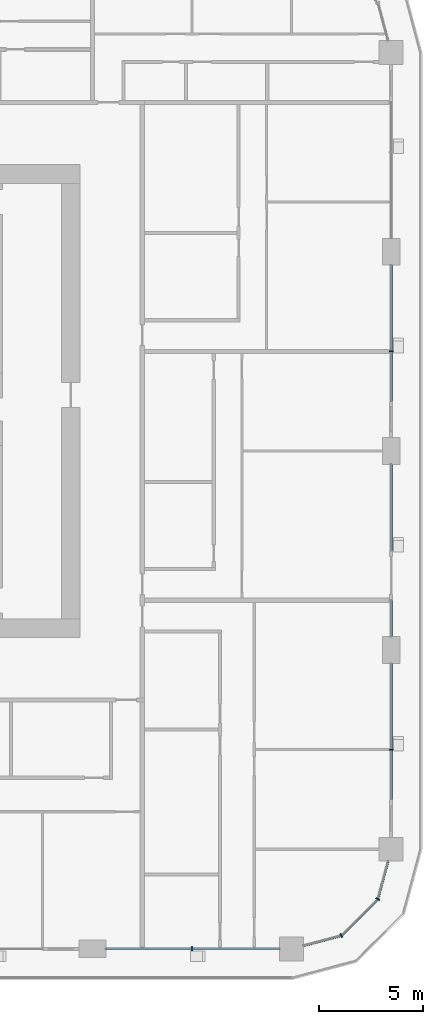
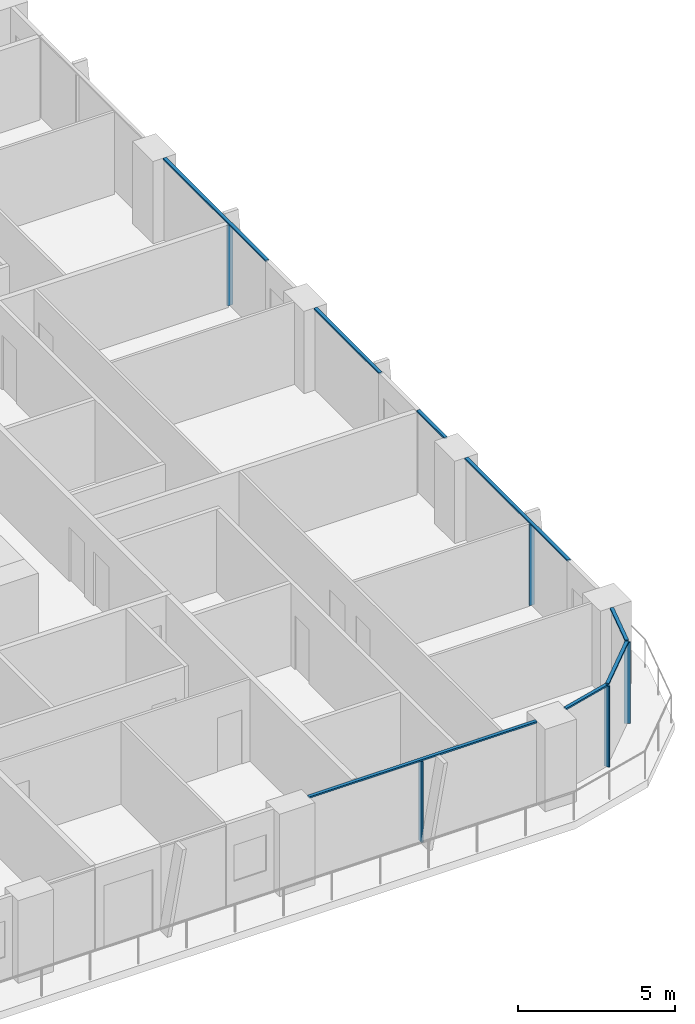
# One storey, part 4 of 22: 13 members, 5 elements without a shape of their own.
"""IFC4 building model written with IfcOpenShell, lengths in metres."""

from ifc_helpers import new_model, si_unit, direction, frame, origin, origin_2d, place, context, subcontext, project, spatial, rectangle, extrude, material, layer, layer_set, material_profile, profile_set, type_object, element, aggregate, save


model = new_model("IFC4")

# Units and contexts
model_context = context("Model", 3, precision=1e-05, world=origin(), true_north=direction((0.0, 1.0)))
body_context = subcontext(model_context, "Body", "Model", "MODEL_VIEW")
ifc_project = project(units=[si_unit("LENGTHUNIT", "METRE"), si_unit("AREAUNIT", "SQUARE_METRE"), si_unit("VOLUMEUNIT", "CUBIC_METRE"), si_unit("PLANEANGLEUNIT", "RADIAN"), si_unit("MASSUNIT", "GRAM", prefix="KILO")], contexts=[model_context])

# Site, building, storey
site_placement = place(None, origin())
site = spatial("IfcSite", under=ifc_project, at=site_placement, CompositionType="ELEMENT")
building_placement = place(site_placement, origin())
building = spatial("IfcBuilding", under=site, at=building_placement, Name="Madar Terraces", CompositionType="ELEMENT")
storey_placement = place(building_placement, frame((0.0, 0.0, 62.800048828125)))
storey = spatial("IfcBuildingStorey", under=building, at=storey_placement, Name="L15", CompositionType="ELEMENT", Elevation=62.800048828125)

# Curtain wall, member
ifc_material_1 = material(Name="Glass, ceramic frit dark grey, with black aluminium frame", Category="aluminium")
ifc_layer = layer(ifc_material_1, 0.199951171875)
ifc_layer_set = layer_set([ifc_layer], Name="Facade curtain wall, fritted glass")
curtain_wall_type = type_object("IfcCurtainWallType", Name="Facade curtain wall, fritted glass", PredefinedType="NOTDEFINED", material=ifc_layer_set)
curtain_wall_1_placement = place(storey_placement, origin())
curtain_wall_1 = element("IfcCurtainWall", 1, at=curtain_wall_1_placement, inside=storey, type_object=curtain_wall_type, Name="Outer skin curtain wall south bay 5", PredefinedType="NOTDEFINED")
ifc_material_2 = material(Name="Aluminium, black anodised", Category="aluminium")
ifc_material_profile_1 = material_profile(ifc_material_2, rectangle(XDim=0.199951171875, YDim=0.06005859375, at=origin_2d()), Name="Facade mullion 60x200")
ifc_profile_set_1 = profile_set([ifc_material_profile_1], Name="Aluminium, black anodised")
member_type_1 = type_object("IfcMemberType", Name="Facade mullion 60x200", PredefinedType="MULLION", material=ifc_profile_set_1)
member_1_placement = place(storey_placement, frame((52.800048828125, 0.0, 0.0), z_axis=(0.0, 0.0, 1.0), x_axis=(0.0, 1.0, 0.0)))
member_1 = element("IfcMember", 2, at=member_1_placement, type_object=member_type_1, Name="Mullion 1", PredefinedType="MULLION", context=body_context, shape_type="SweptSolid", body=[
    extrude(rectangle(XDim=0.199951171875, YDim=0.06005859375, at=origin_2d()), origin(), (0.0, 0.0, 1.0), 3.139892578125),
])

curtain_wall_2_placement = place(storey_placement, origin())
curtain_wall_2 = element("IfcCurtainWall", 3, at=curtain_wall_2_placement, inside=storey, type_object=curtain_wall_type, Name="Outer skin curtain wall east bay 1", PredefinedType="NOTDEFINED")
member_2_placement = place(storey_placement, frame((62.39990234375, 9.60009765625, 0.0), z_axis=(0.0, 0.0, 1.0), x_axis=(-1.0, 0.0, 0.0)))
member_2 = element("IfcMember", 4, at=member_2_placement, type_object=member_type_1, Name="Mullion 1", PredefinedType="MULLION", context=body_context, shape_type="SweptSolid", body=[
    extrude(rectangle(XDim=0.199951171875, YDim=0.06005859375, at=origin_2d()), origin(), (0.0, 0.0, 1.0), 3.139892578125),
])

curtain_wall_3_placement = place(storey_placement, origin())
curtain_wall_3 = element("IfcCurtainWall", 5, at=curtain_wall_3_placement, inside=storey, type_object=curtain_wall_type, Name="Outer skin curtain wall east bay 3", PredefinedType="NOTDEFINED")
member_3_placement = place(storey_placement, frame((62.39990234375, 28.800048828125, 0.0), z_axis=(0.0, 0.0, 1.0), x_axis=(-1.0, 0.0, 0.0)))
member_3 = element("IfcMember", 6, at=member_3_placement, type_object=member_type_1, Name="Mullion 1", PredefinedType="MULLION", context=body_context, shape_type="SweptSolid", body=[
    extrude(rectangle(XDim=0.199951171875, YDim=0.06005859375, at=origin_2d()), origin(), (0.0, 0.0, 1.0), 3.139892578125),
])

# Curtain wall, members
curtain_wall_4_placement = place(storey_placement, origin())
curtain_wall_4 = element("IfcCurtainWall", 7, at=curtain_wall_4_placement, inside=storey, type_object=curtain_wall_type, Name="Outer skin curtain wall south-east corner", PredefinedType="NOTDEFINED")
member_4_placement = place(storey_placement, frame((60.0, 0.64306640625, 0.0), z_axis=(0.0, 0.0, 1.0), x_axis=(-0.499999989586, 0.866025409797, 0.0)))
member_4 = element("IfcMember", 8, at=member_4_placement, type_object=member_type_1, Name="Mullion 1", PredefinedType="MULLION", context=body_context, shape_type="SweptSolid", body=[
    extrude(rectangle(XDim=0.199951171875, YDim=0.06005859375, at=origin_2d()), origin(), (0.0, 0.0, 1.0), 3.139892578125),
])
member_5_placement = place(storey_placement, frame((61.7568359375, 2.39990234375, 0.0), z_axis=(0.0, 0.0, 1.0), x_axis=(-0.866025409797, 0.499999989586, 0.0)))
member_5 = element("IfcMember", 9, at=member_5_placement, type_object=member_type_1, Name="Mullion 2", PredefinedType="MULLION", context=body_context, shape_type="SweptSolid", body=[
    extrude(rectangle(XDim=0.199951171875, YDim=0.06005859375, at=origin_2d()), origin(), (0.0, 0.0, 1.0), 3.139892578125),
])

# Member
ifc_material_3 = material(Name="Aluminium, black anodised", Category="aluminium")
ifc_material_profile_2 = material_profile(ifc_material_3, rectangle(XDim=0.1201171875, YDim=0.06005859375, at=origin_2d()), Name="Facade transom 60x120")
ifc_profile_set_2 = profile_set([ifc_material_profile_2], Name="Aluminium, black anodised")
member_type_2 = type_object("IfcMemberType", Name="Facade transom 60x120", PredefinedType="USERDEFINED", material=ifc_profile_set_2)
member_6_placement = place(storey_placement, frame((48.64990234375, 0.0, 3.169921875), z_axis=(1.0, 0.0, 0.0), x_axis=(0.0, 1.0, 0.0)))
member_6 = element("IfcMember", 10, at=member_6_placement, type_object=member_type_2, Name="Transom 1", ObjectType="TRANSOM", PredefinedType="USERDEFINED", context=body_context, shape_type="SweptSolid", body=[
    extrude(rectangle(XDim=0.1201171875, YDim=0.06005859375, at=origin_2d()), origin(), (0.0, 0.0, 1.0), 8.375),
])

aggregate(curtain_wall_1, [member_1, member_6])

member_7_placement = place(storey_placement, frame((62.39990234375, 7.199951171875, 3.169921875), z_axis=(0.0, 1.0, 0.0), x_axis=(-1.0, 0.0, 0.0)))
member_7 = element("IfcMember", 11, at=member_7_placement, type_object=member_type_2, Name="Transom 1", ObjectType="TRANSOM", PredefinedType="USERDEFINED", context=body_context, shape_type="SweptSolid", body=[
    extrude(rectangle(XDim=0.1201171875, YDim=0.06005859375, at=origin_2d()), origin(), (0.0, 0.0, 1.0), 6.550048828125),
])

aggregate(curtain_wall_2, [member_2, member_7])

# Curtain wall, members
curtain_wall_5_placement = place(storey_placement, origin())
curtain_wall_5 = element("IfcCurtainWall", 12, at=curtain_wall_5_placement, inside=storey, type_object=curtain_wall_type, Name="Outer skin curtain wall east bay 2", PredefinedType="NOTDEFINED")
member_8_placement = place(storey_placement, frame((62.39990234375, 15.050048828125, 3.169921875), z_axis=(0.0, 1.0, 0.0), x_axis=(-1.0, 0.0, 0.0)))
member_8 = element("IfcMember", 13, at=member_8_placement, type_object=member_type_2, Name="Transom 1", ObjectType="TRANSOM", PredefinedType="USERDEFINED", context=body_context, shape_type="SweptSolid", body=[
    extrude(rectangle(XDim=0.1201171875, YDim=0.06005859375, at=origin_2d()), origin(), (0.0, 0.0, 1.0), 1.75),
])
member_9_placement = place(storey_placement, frame((62.39990234375, 19.199951171875, 3.169921875), z_axis=(0.0, 1.0, 0.0), x_axis=(-1.0, 0.0, 0.0)))
member_9 = element("IfcMember", 14, at=member_9_placement, type_object=member_type_2, Name="Transom 2", ObjectType="TRANSOM", PredefinedType="USERDEFINED", context=body_context, shape_type="SweptSolid", body=[
    extrude(rectangle(XDim=0.1201171875, YDim=0.06005859375, at=origin_2d()), origin(), (0.0, 0.0, 1.0), 4.150146484375),
])
aggregate(curtain_wall_5, [member_8, member_9])

# Member
member_10_placement = place(storey_placement, frame((62.39990234375, 26.39990234375, 3.169921875), z_axis=(0.0, 1.0, 0.0), x_axis=(-1.0, 0.0, 0.0)))
member_10 = element("IfcMember", 15, at=member_10_placement, type_object=member_type_2, Name="Transom 1", ObjectType="TRANSOM", PredefinedType="USERDEFINED", context=body_context, shape_type="SweptSolid", body=[
    extrude(rectangle(XDim=0.1201171875, YDim=0.06005859375, at=origin_2d()), origin(), (0.0, 0.0, 1.0), 6.550048828125),
])

aggregate(curtain_wall_3, [member_3, member_10])

member_11_placement = place(storey_placement, frame((58.175048828125, 0.154052734375, 3.169921875), z_axis=(0.965926950947, 0.258814847786, 0.0), x_axis=(-0.258814847786, 0.965926950947, 0.0)))
member_11 = element("IfcMember", 16, at=member_11_placement, type_object=member_type_2, Name="Transom 1", ObjectType="TRANSOM", PredefinedType="USERDEFINED", context=body_context, shape_type="SweptSolid", body=[
    extrude(rectangle(XDim=0.1201171875, YDim=0.06005859375, at=origin_2d()), origin(), (0.0, 0.0, 1.0), 1.859130859375),
])

member_12_placement = place(storey_placement, frame((60.021240234375, 0.664306640625, 3.169921875), z_axis=(0.707056433593, 0.707157125196, 0.0), x_axis=(-0.707157125196, 0.707056433593, 0.0)))
member_12 = element("IfcMember", 17, at=member_12_placement, type_object=member_type_2, Name="Transom 2", ObjectType="TRANSOM", PredefinedType="USERDEFINED", context=body_context, shape_type="SweptSolid", body=[
    extrude(rectangle(XDim=0.1201171875, YDim=0.06005859375, at=origin_2d()), origin(), (0.0, 0.0, 1.0), 2.424560546875),
])

member_13_placement = place(storey_placement, frame((61.7646484375, 2.428955078125, 3.169921875), z_axis=(0.258782024434, 0.965935745187, 0.0), x_axis=(-0.965935745187, 0.258782024434, 0.0)))
member_13 = element("IfcMember", 18, at=member_13_placement, type_object=member_type_2, Name="Transom 3", ObjectType="TRANSOM", PredefinedType="USERDEFINED", context=body_context, shape_type="SweptSolid", body=[
    extrude(rectangle(XDim=0.1201171875, YDim=0.06005859375, at=origin_2d()), origin(), (0.0, 0.0, 1.0), 1.859375),
])

aggregate(curtain_wall_4, [member_4, member_11, member_5, member_12, member_13])

save(model, "model.ifc")
